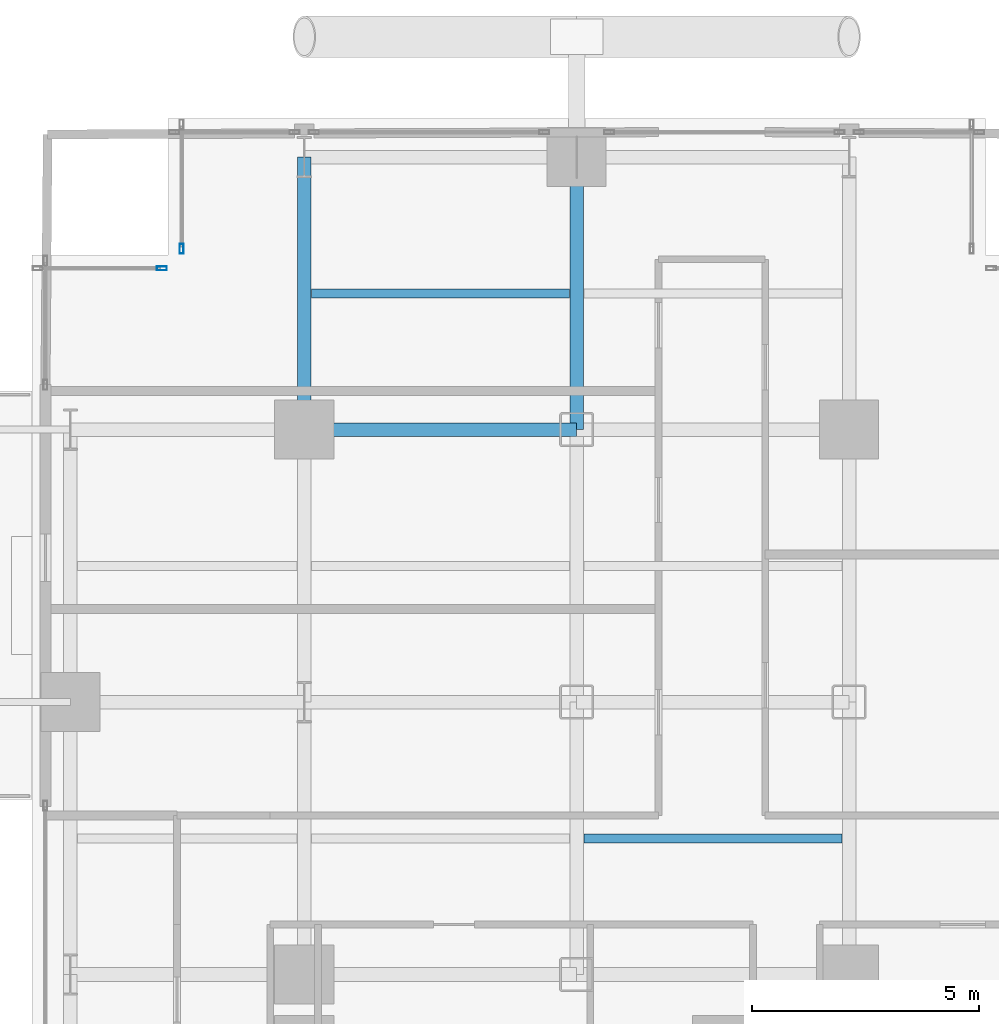
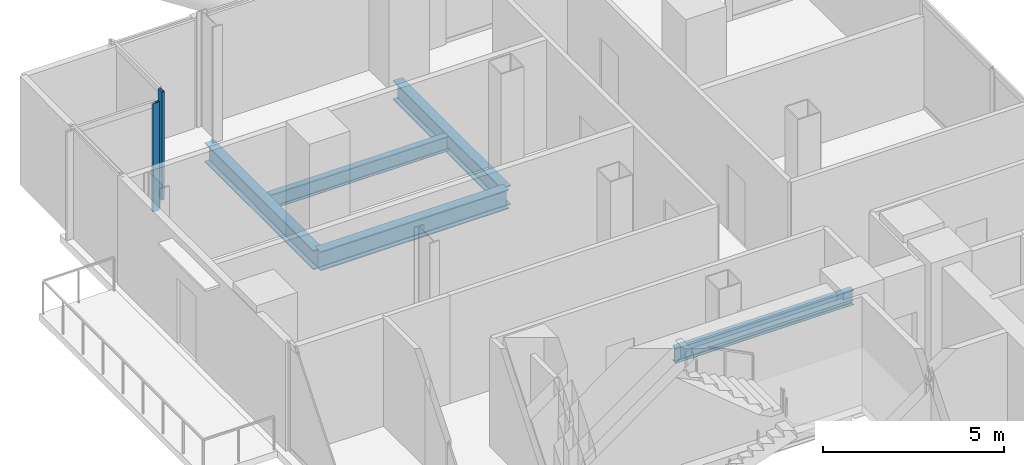
# One storey, part 14 of 27: 5 beams, 2 members, 2 elements without a shape of their own.
"""IFC4 building model written with IfcOpenShell, lengths in metres."""

from ifc_helpers import new_model, si_unit, direction, frame, origin, origin_2d, place, context, subcontext, project, spatial, hollow_rectangle, i_section, extrude, material, layer, layer_set, material_profile, profile_set, type_object, element, aggregate, save


model = new_model("IFC4")

# Units and contexts
model_context = context("Model", 3, precision=1e-05, world=origin(), true_north=direction((0.0, 1.0)))
body_context = subcontext(model_context, "Body", "Model", "MODEL_VIEW")
ifc_project = project(units=[si_unit("LENGTHUNIT", "METRE"), si_unit("AREAUNIT", "SQUARE_METRE"), si_unit("VOLUMEUNIT", "CUBIC_METRE"), si_unit("PLANEANGLEUNIT", "RADIAN"), si_unit("MASSUNIT", "GRAM", prefix="KILO"), si_unit("THERMODYNAMICTEMPERATUREUNIT", "KELVIN"), si_unit("POWERUNIT", "WATT")], contexts=[model_context])

# Site, building, storey
site_placement = place(None, origin())
site = spatial("IfcSite", under=ifc_project, at=site_placement, CompositionType="ELEMENT")
building_placement = place(site_placement, origin())
building = spatial("IfcBuilding", under=site, at=building_placement, Name="Svarakhadi Broadcast Tower", CompositionType="ELEMENT")
storey_placement = place(building_placement, frame((0.0, 0.0, 75.300048828125)))
storey = spatial("IfcBuildingStorey", under=building, at=storey_placement, Name="L17", CompositionType="ELEMENT", Elevation=75.300048828125)

# Beams
ifc_material_1 = material(Name="Steel S355J2 (IS 2062 E350C)", Category="steel")
ifc_material_profile_1 = material_profile(ifc_material_1, i_section(OverallWidth=0.199951171875, OverallDepth=0.5, WebThickness=0.01025390625, FlangeThickness=0.01611328125, FilletRadius=0.02099609375, at=origin_2d()), Name="NPB 500x200x91")
ifc_profile_set_1 = profile_set([ifc_material_profile_1], Name="Steel S355J2 (IS 2062 E350C)")
beam_type_1 = type_object("IfcBeamType", Name="Beam_NPB500", PredefinedType="BEAM", material=ifc_profile_set_1)
for number, where, z_axis, x_axis, name in (
    (1, (6.159912109375, 44.14990234375, -0.5), (1.0, 0.0, 0.0), (0.0, 1.0, 0.0), "L17 Secondary Composite Beam SB012"),
    (2, (12.159912109375, 32.14990234375, -0.5), (1.0, 0.0, 0.0), (0.0, 1.0, 0.0), "L17 Secondary Composite Beam SB016"),
):
    element("IfcBeam", number, at=place(storey_placement, frame(where, z_axis=z_axis, x_axis=x_axis)), inside=storey, type_object=beam_type_1, Name=name, PredefinedType="BEAM", context=body_context, shape_type="SweptSolid", body=[
        extrude(i_section(OverallWidth=0.199951171875, OverallDepth=0.5, WebThickness=0.01025390625, FlangeThickness=0.01611328125, FilletRadius=0.02099609375, at=origin_2d()), origin(), (0.0, 0.0, 1.0), 5.68017578125),
    ])

# Curtain wall, member
ifc_material_2 = material(Name="Anodised Bronze Aluminium AA 6063-T6", Category="aluminium")
ifc_layer = layer(ifc_material_2, 0.219970703125)
ifc_layer_set = layer_set([ifc_layer], Name="Anodised Bronze Aluminium AA 6063-T6")
curtain_wall_type = type_object("IfcCurtainWallType", Name="CW_Sys_02", PredefinedType="NOTDEFINED", material=ifc_layer_set)
curtain_wall_1_placement = place(storey_placement, origin())
curtain_wall_1 = element("IfcCurtainWall", 3, at=curtain_wall_1_placement, inside=storey, type_object=curtain_wall_type, Name="L17 Unitised Facade Curtain Wall 04", PredefinedType="NOTDEFINED")
ifc_material_profile_2 = material_profile(ifc_material_2, hollow_rectangle(XDim=0.0849609375, YDim=0.219970703125, WallThickness=0.006103515625, at=origin_2d()), Name="ALU MULLION 220x85x6")
ifc_profile_set_2 = profile_set([ifc_material_profile_2], Name="Anodised Bronze Aluminium AA 6063-T6")
member_type = type_object("IfcMemberType", Name="CW_Sys_02_Mul", PredefinedType="MULLION", material=ifc_profile_set_2)
member_1_placement = place(storey_placement, frame((2.867431640625, 44.699951171875, 0.0), z_axis=(0.0, 0.0, 1.0), x_axis=(0.0, 1.0, 0.0)))
member_1 = element("IfcMember", 4, at=member_1_placement, type_object=member_type, Name="CW-02 mullion 2", PredefinedType="MULLION", context=body_context, shape_type="SweptSolid", body=[
    extrude(hollow_rectangle(XDim=0.0849609375, YDim=0.219970703125, WallThickness=0.006103515625, at=origin_2d()), origin(), (0.0, 0.0, 1.0), 3.64990234375),
])
aggregate(curtain_wall_1, [member_1])

curtain_wall_2_placement = place(storey_placement, origin())
curtain_wall_2 = element("IfcCurtainWall", 5, at=curtain_wall_2_placement, inside=storey, type_object=curtain_wall_type, Name="L17 Unitised Facade Curtain Wall 05", PredefinedType="NOTDEFINED")
member_2_placement = place(storey_placement, frame((3.300048828125, 45.132568359375, 0.0), z_axis=(0.0, 0.0, 1.0), x_axis=(-1.0, 0.0, 0.0)))
member_2 = element("IfcMember", 6, at=member_2_placement, type_object=member_type, Name="CW-02 mullion 1", PredefinedType="MULLION", context=body_context, shape_type="SweptSolid", body=[
    extrude(hollow_rectangle(XDim=0.0849609375, YDim=0.219970703125, WallThickness=0.006103515625, at=origin_2d()), origin(), (0.0, 0.0, 1.0), 3.64990234375),
])
aggregate(curtain_wall_2, [member_2])

# Beams
ifc_material_profile_3 = material_profile(ifc_material_1, i_section(OverallWidth=0.300048828125, OverallDepth=0.64990234375, WebThickness=0.01611328125, FlangeThickness=0.031005859375, FilletRadius=0.027099609375, at=origin_2d()), Name="WPB 650x300x225")
ifc_profile_set_3 = profile_set([ifc_material_profile_3], Name="Steel S355J2 (IS 2062 E350C)")
beam_type_2 = type_object("IfcBeamType", Name="Girder_WPB650", PredefinedType="USERDEFINED", material=ifc_profile_set_3)
for number, where, z_axis, x_axis, name in (
    (7, (6.0, 41.14990234375, -0.574951171875), (1.0, 0.0, 0.0), (0.0, 1.0, 0.0), "L17 Primary E-W Girder G041"),
    (8, (6.0, 41.14990234375, -0.574951171875), (0.0, 1.0, 0.0), (-1.0, 0.0, 0.0), "L17 Primary N-S Girder G057"),
    (9, (12.0, 41.14990234375, -0.574951171875), (0.0, 1.0, 0.0), (-1.0, 0.0, 0.0), "L17 Primary N-S Girder G063"),
):
    element("IfcBeam", number, at=place(storey_placement, frame(where, z_axis=z_axis, x_axis=x_axis)), inside=storey, type_object=beam_type_2, Name=name, ObjectType="GIRDER", PredefinedType="USERDEFINED", context=body_context, shape_type="SweptSolid", body=[
        extrude(i_section(OverallWidth=0.300048828125, OverallDepth=0.64990234375, WebThickness=0.01611328125, FlangeThickness=0.031005859375, FilletRadius=0.027099609375, at=origin_2d()), origin(), (0.0, 0.0, 1.0), 6.0),
    ])

save(model, "model.ifc")
